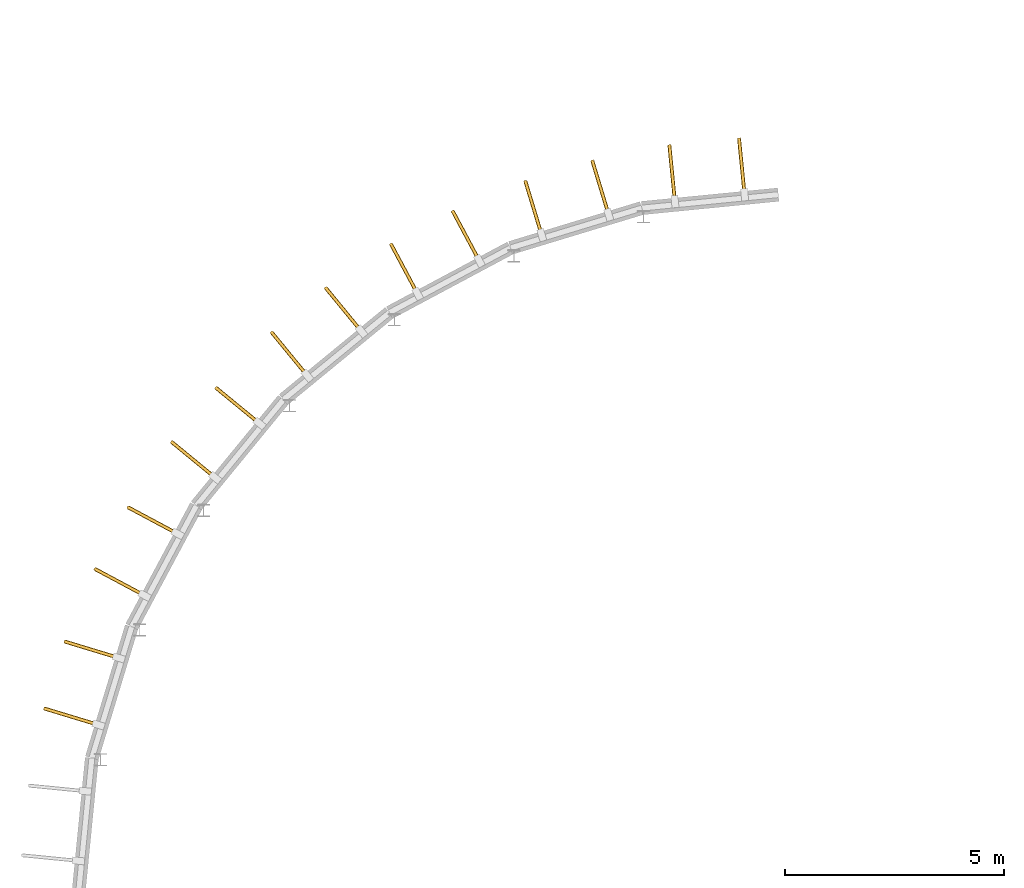
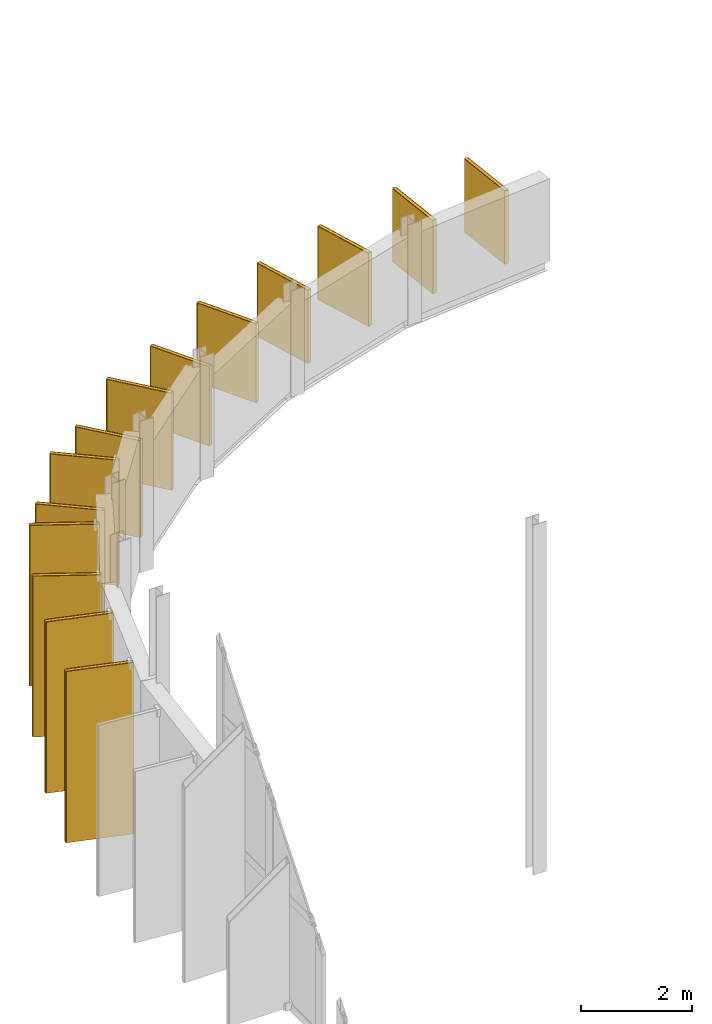
# One storey, part 36 of 38: 14 coverings, 14 shading devices.
"""IFC4 building model written with IfcOpenShell, lengths in metres."""

from ifc_helpers import new_model, si_unit, direction, frame, origin, origin_2d, place, context, subcontext, project, spatial, rectangle, extrude, material, type_object, element, save


model = new_model("IFC4")

# Units and contexts
model_context = context("Model", 3, precision=1e-05, world=origin(), true_north=direction((0.0, 1.0)))
body_context = subcontext(model_context, "Body", "Model", "MODEL_VIEW")
ifc_project = project(units=[si_unit("LENGTHUNIT", "METRE"), si_unit("AREAUNIT", "SQUARE_METRE"), si_unit("VOLUMEUNIT", "CUBIC_METRE"), si_unit("PLANEANGLEUNIT", "RADIAN"), si_unit("MASSUNIT", "GRAM", prefix="KILO")], contexts=[model_context])

# Site, building, storey
site_placement = place(None, origin())
site = spatial("IfcSite", under=ifc_project, at=site_placement, CompositionType="ELEMENT")
building_placement = place(site_placement, origin())
building = spatial("IfcBuilding", under=site, at=building_placement, Name="Drelvana Railside Aquatics Centre", CompositionType="ELEMENT")
storey_placement = place(building_placement, frame((0.0, 0.0, 14.39990234375)))
storey = spatial("IfcBuildingStorey", under=building, at=storey_placement, Name="L03", CompositionType="ELEMENT", Elevation=14.39990234375)

# Coverings
ifc_material = material(Name="Bronze-anodised extruded aluminium 6063-T6", Category="aluminium")
covering_type = type_object("IfcCoveringType", Name="COV-FIN-ALU", PredefinedType="CLADDING", material=ifc_material)
for number, where, z_axis, x_axis, name in (
    (1, (15.163330078125, 84.65625, -0.19970703125), (0.0, 0.0, 1.0), (0.995184726672, 0.09801714033, 0.0), "Vertical aluminium fin cladding CF-0343"),
    (2, (13.571044921875, 84.499267578125, -0.19970703125), (0.0, 0.0, 1.0), (0.995184726672, 0.09801714033, 0.0), "Vertical aluminium fin cladding CF-0344"),
    (3, (11.929931640625, 84.1728515625, -0.19970703125), (0.0, 0.0, 1.0), (0.956940335732, 0.290284677254, 0.0), "Vertical aluminium fin cladding CF-0351"),
    (4, (10.39892578125, 83.70849609375, -0.19970703125), (0.0, 0.0, 1.0), (0.956940335732, 0.290284677254, 0.0), "Vertical aluminium fin cladding CF-0352"),
):
    element("IfcCovering", number, at=place(storey_placement, frame(where, z_axis=z_axis, x_axis=x_axis)), inside=storey, type_object=covering_type, Name=name, PredefinedType="CLADDING", context=body_context, shape_type="SweptSolid", body=[
        extrude(rectangle(XDim=0.0849609375, YDim=1.25, at=origin_2d()), origin(), (0.0, 0.0, 1.0), 1.614990234375),
    ])
for number, where, z_axis, x_axis, name in (
    (5, (8.85302734375, 83.068115234375, -0.19970703125), (0.0, 0.0, 1.0), (0.881921264348, 0.471396736826, 0.0), "Vertical aluminium fin cladding CF-0359"),
    (6, (7.44189453125, 82.31396484375, -0.19970703125), (0.0, 0.0, 1.0), (0.881921264348, 0.471396736826, 0.0), "Vertical aluminium fin cladding CF-0360"),
):
    element("IfcCovering", number, at=place(storey_placement, frame(where, z_axis=z_axis, x_axis=x_axis)), inside=storey, type_object=covering_type, Name=name, PredefinedType="CLADDING", context=body_context, shape_type="SweptSolid", body=[
        extrude(rectangle(XDim=0.0849609375, YDim=1.25, at=origin_2d()), origin(), (0.0, 0.0, 1.0), 1.741943359375),
    ])
for number, where, z_axis, x_axis, name in (
    (7, (6.05078125, 81.38427734375, -0.19970703125), (0.0, 0.0, 1.0), (0.773010453363, 0.634393284164, 0.0), "Vertical aluminium fin cladding CF-0367"),
    (8, (4.81396484375, 80.369384765625, -0.19970703125), (0.0, 0.0, 1.0), (0.773010453363, 0.634393284164, 0.0), "Vertical aluminium fin cladding CF-0368"),
):
    element("IfcCovering", number, at=place(storey_placement, frame(where, z_axis=z_axis, x_axis=x_axis)), inside=storey, type_object=covering_type, Name=name, PredefinedType="CLADDING", context=body_context, shape_type="SweptSolid", body=[
        extrude(rectangle(XDim=0.0849609375, YDim=1.25, at=origin_2d()), origin(), (0.0, 0.0, 1.0), 2.138916015625),
    ])
for number, where, z_axis, x_axis, name in (
    (9, (3.630615234375, 79.18603515625, -0.19970703125), (0.0, 0.0, 1.0), (0.634393284164, 0.773010453363, 0.0), "Vertical aluminium fin cladding CF-0375"),
    (10, (2.61572265625, 77.94921875, -0.19970703125), (0.0, 0.0, 1.0), (0.634393284164, 0.773010453363, 0.0), "Vertical aluminium fin cladding CF-0376"),
):
    element("IfcCovering", number, at=place(storey_placement, frame(where, z_axis=z_axis, x_axis=x_axis)), inside=storey, type_object=covering_type, Name=name, PredefinedType="CLADDING", context=body_context, shape_type="SweptSolid", body=[
        extrude(rectangle(XDim=0.0849609375, YDim=1.25, at=origin_2d()), origin(), (0.0, 0.0, 1.0), 2.759033203125),
    ])
for number, where, z_axis, x_axis, name in (
    (11, (1.68603515625, 76.55810546875, -0.199951171875), (0.0, 0.0, 1.0), (0.471396736826, 0.881921264348, 0.0), "Vertical aluminium fin cladding CF-0383"),
    (12, (0.931884765625, 75.14697265625, -0.199951171875), (0.0, 0.0, 1.0), (0.471396736826, 0.881921264348, 0.0), "Vertical aluminium fin cladding CF-0384"),
):
    element("IfcCovering", number, at=place(storey_placement, frame(where, z_axis=z_axis, x_axis=x_axis)), inside=storey, type_object=covering_type, Name=name, PredefinedType="CLADDING", context=body_context, shape_type="SweptSolid", body=[
        extrude(rectangle(XDim=0.0849609375, YDim=1.25, at=origin_2d()), origin(), (0.0, 0.0, 1.0), 3.5439453125),
    ])
for number, where, z_axis, x_axis, name in (
    (13, (0.29150390625, 73.60107421875, -0.19970703125), (0.0, 0.0, 1.0), (0.290284677254, 0.956940335732, 0.0), "Vertical aluminium fin cladding CF-0391"),
    (14, (-0.1728515625, 72.070068359375, -0.19970703125), (0.0, 0.0, 1.0), (0.290284677254, 0.956940335732, 0.0), "Vertical aluminium fin cladding CF-0392"),
):
    element("IfcCovering", number, at=place(storey_placement, frame(where, z_axis=z_axis, x_axis=x_axis)), inside=storey, type_object=covering_type, Name=name, PredefinedType="CLADDING", context=body_context, shape_type="SweptSolid", body=[
        extrude(rectangle(XDim=0.0849609375, YDim=1.25, at=origin_2d()), origin(), (0.0, 0.0, 1.0), 3.780029296875),
    ])

# Shading devices
shading_device_type = type_object("IfcShadingDeviceType", Name="SHD-FIN-1250", PredefinedType="USERDEFINED", material=ifc_material)
for number, where, z_axis, x_axis, name in (
    (15, (15.161376953125, 84.676025390625, -0.19970703125), (0.0, 0.0, 1.0), (-0.09801714033, 0.995184726672, 0.0), "Vertical bronze shading fin FN-0350"),
    (16, (13.569091796875, 84.519287109375, -0.19970703125), (0.0, 0.0, 1.0), (-0.09801714033, 0.995184726672, 0.0), "Vertical bronze shading fin FN-0351"),
    (17, (11.92431640625, 84.19189453125, -0.19970703125), (0.0, 0.0, 1.0), (-0.290284677254, 0.956940335732, 0.0), "Vertical bronze shading fin FN-0358"),
    (18, (10.39306640625, 83.7275390625, -0.19970703125), (0.0, 0.0, 1.0), (-0.290284677254, 0.956940335732, 0.0), "Vertical bronze shading fin FN-0359"),
):
    element("IfcShadingDevice", number, at=place(storey_placement, frame(where, z_axis=z_axis, x_axis=x_axis)), inside=storey, type_object=shading_device_type, Name=name, ObjectType="FIN", PredefinedType="USERDEFINED", context=body_context, shape_type="SweptSolid", body=[
        extrude(rectangle(XDim=1.25, YDim=0.06494140625, at=origin_2d()), origin(), (0.0, 0.0, 1.0), 1.614990234375),
    ])
for number, where, z_axis, x_axis, name in (
    (19, (8.843505859375, 83.085693359375, -0.19970703125), (0.0, 0.0, 1.0), (-0.471396736826, 0.881921264348, 0.0), "Vertical bronze shading fin FN-0366"),
    (20, (7.4326171875, 82.33154296875, -0.19970703125), (0.0, 0.0, 1.0), (-0.471396736826, 0.881921264348, 0.0), "Vertical bronze shading fin FN-0367"),
):
    element("IfcShadingDevice", number, at=place(storey_placement, frame(where, z_axis=z_axis, x_axis=x_axis)), inside=storey, type_object=shading_device_type, Name=name, ObjectType="FIN", PredefinedType="USERDEFINED", context=body_context, shape_type="SweptSolid", body=[
        extrude(rectangle(XDim=1.25, YDim=0.06494140625, at=origin_2d()), origin(), (0.0, 0.0, 1.0), 1.741943359375),
    ])
for number, where, z_axis, x_axis, name in (
    (21, (6.0380859375, 81.399658203125, -0.19970703125), (0.0, 0.0, 1.0), (-0.634393284164, 0.773010453363, 0.0), "Vertical bronze shading fin FN-0374"),
    (22, (4.80126953125, 80.384765625, -0.19970703125), (0.0, 0.0, 1.0), (-0.634393284164, 0.773010453363, 0.0), "Vertical bronze shading fin FN-0375"),
):
    element("IfcShadingDevice", number, at=place(storey_placement, frame(where, z_axis=z_axis, x_axis=x_axis)), inside=storey, type_object=shading_device_type, Name=name, ObjectType="FIN", PredefinedType="USERDEFINED", context=body_context, shape_type="SweptSolid", body=[
        extrude(rectangle(XDim=1.25, YDim=0.06494140625, at=origin_2d()), origin(), (0.0, 0.0, 1.0), 2.138916015625),
    ])
for number, where, z_axis, x_axis, name in (
    (23, (3.615234375, 79.19873046875, -0.19970703125), (0.0, 0.0, 1.0), (-0.773010453363, 0.634393284164, 0.0), "Vertical bronze shading fin FN-0382"),
    (24, (2.600341796875, 77.9619140625, -0.19970703125), (0.0, 0.0, 1.0), (-0.773010453363, 0.634393284164, 0.0), "Vertical bronze shading fin FN-0383"),
):
    element("IfcShadingDevice", number, at=place(storey_placement, frame(where, z_axis=z_axis, x_axis=x_axis)), inside=storey, type_object=shading_device_type, Name=name, ObjectType="FIN", PredefinedType="USERDEFINED", context=body_context, shape_type="SweptSolid", body=[
        extrude(rectangle(XDim=1.25, YDim=0.06494140625, at=origin_2d()), origin(), (0.0, 0.0, 1.0), 2.759033203125),
    ])
for number, where, z_axis, x_axis, name in (
    (25, (1.66845703125, 76.5673828125, -0.199951171875), (0.0, 0.0, 1.0), (-0.881921264348, 0.471396736826, 0.0), "Vertical bronze shading fin FN-0390"),
    (26, (0.914306640625, 75.156494140625, -0.199951171875), (0.0, 0.0, 1.0), (-0.881921264348, 0.471396736826, 0.0), "Vertical bronze shading fin FN-0391"),
):
    element("IfcShadingDevice", number, at=place(storey_placement, frame(where, z_axis=z_axis, x_axis=x_axis)), inside=storey, type_object=shading_device_type, Name=name, ObjectType="FIN", PredefinedType="USERDEFINED", context=body_context, shape_type="SweptSolid", body=[
        extrude(rectangle(XDim=1.25, YDim=0.06494140625, at=origin_2d()), origin(), (0.0, 0.0, 1.0), 3.5439453125),
    ])
for number, where, z_axis, x_axis, name in (
    (27, (0.2724609375, 73.60693359375, -0.19970703125), (0.0, 0.0, 1.0), (-0.956940335732, 0.290284677254, 0.0), "Vertical bronze shading fin FN-0398"),
    (28, (-0.19189453125, 72.07568359375, -0.19970703125), (0.0, 0.0, 1.0), (-0.956940335732, 0.290284677254, 0.0), "Vertical bronze shading fin FN-0399"),
):
    element("IfcShadingDevice", number, at=place(storey_placement, frame(where, z_axis=z_axis, x_axis=x_axis)), inside=storey, type_object=shading_device_type, Name=name, ObjectType="FIN", PredefinedType="USERDEFINED", context=body_context, shape_type="SweptSolid", body=[
        extrude(rectangle(XDim=1.25, YDim=0.06494140625, at=origin_2d()), origin(), (0.0, 0.0, 1.0), 3.780029296875),
    ])

save(model, "model.ifc")
